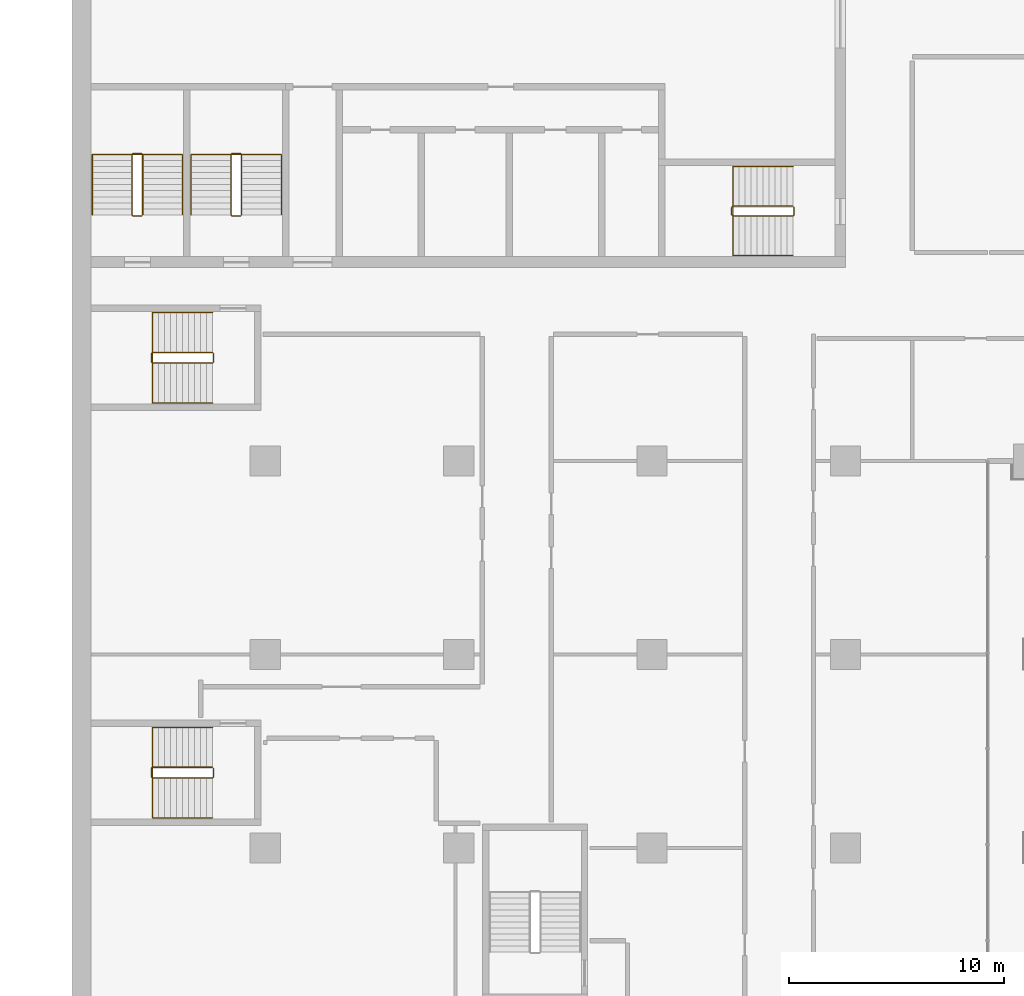
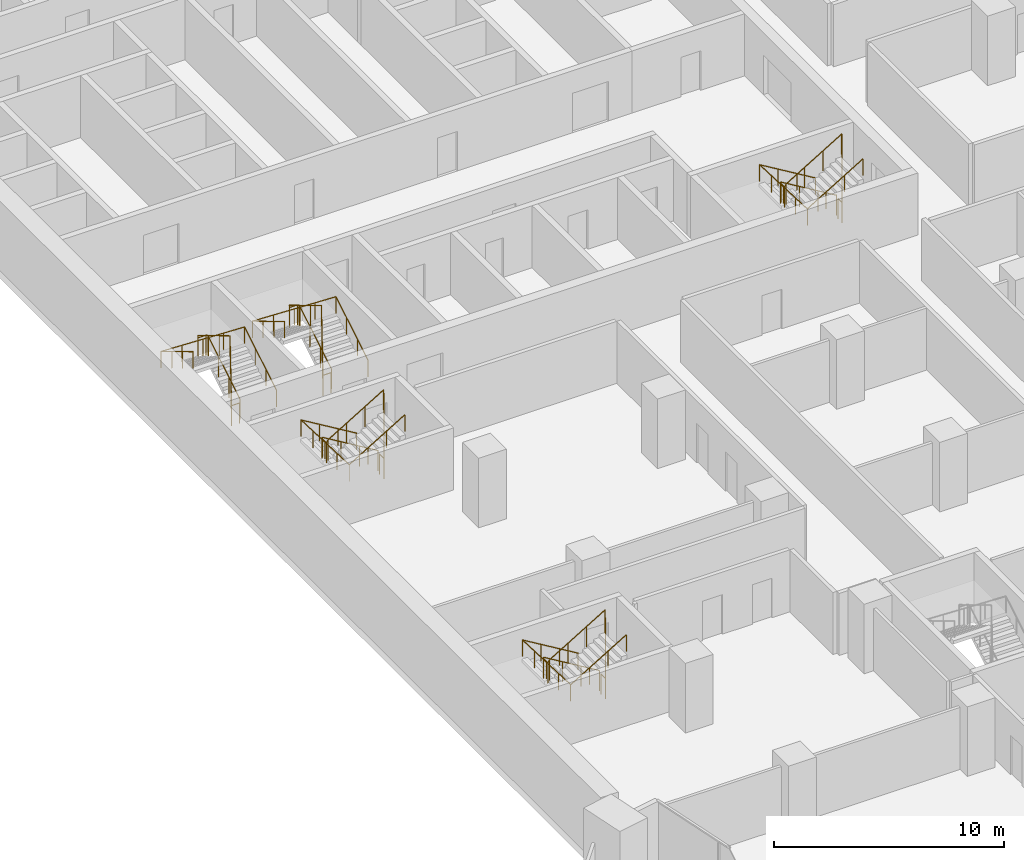
# One storey, part 26 of 29: 10 railings.
"""IFC4 building model written with IfcOpenShell, lengths in metres."""

import ifcopenshell
import ifcopenshell.guid

model = None  # the IFC model being written
_history = None  # IfcOwnerHistory: only IFC2X3 demands one
_inside = {}  # id of a spatial element -> (the spatial element, [elements in it])
_under = {}  # id of a project, library or spatial element -> (it, [spatial elements below it])
_declared = {}  # id of a project -> (the project, [libraries it declares])
_typed = {}  # id of a type object -> (the type object, [elements of that type])
_made_of = {}  # id of a material, layer set ... -> (it, [elements and type objects made of it])


def new_model(schema):
    """Start an empty IFC model of exactly this schema.

    Asked for "IFC4X3", IfcOpenShell would pick the latest addendum, in which some entities
    have other attributes; the version numbers below select the first issue.
    IFC2X3 requires an IfcOwnerHistory on every rooted entity: one is made here for all.
    """
    global model, _history
    if schema == "IFC4X3":
        model = ifcopenshell.file(schema_version=(4, 3, 0, 0))
    else:
        model = ifcopenshell.file(schema=schema)
    _inside.clear()
    _under.clear()
    _declared.clear()
    _typed.clear()
    _made_of.clear()
    _history = None
    if model.schema == "IFC2X3":
        org = make("IfcOrganization", Name="unknown")
        user = make(
            "IfcPersonAndOrganization",
            ThePerson=make("IfcPerson", FamilyName="unknown"),
            TheOrganization=org,
        )
        app = make(
            "IfcApplication",
            ApplicationDeveloper=org,
            Version="unknown",
            ApplicationFullName="unknown",
            ApplicationIdentifier="unknown",
        )
        _history = make(
            "IfcOwnerHistory",
            OwningUser=user,
            OwningApplication=app,
            ChangeAction="ADDED",
            CreationDate=0,
        )
    return model


def make(cls, **values):
    """One entity of the class cls with the attributes given. An attribute that is None is left unset."""
    return model.create_entity(
        cls, **{name: value for name, value in values.items() if value is not None}
    )


def rooted(cls, **values):
    """An entity with a GlobalId (a new one), such as an element, a storey or a relation."""
    return make(cls, GlobalId=ifcopenshell.guid.new(), OwnerHistory=_history, **values)


def si_unit(unit_type, name, prefix=None):
    """IfcSIUnit, for example si_unit("LENGTHUNIT", "METRE", prefix="MILLI")."""
    return make("IfcSIUnit", UnitType=unit_type, Prefix=prefix, Name=name)


def assignment(units):
    """IfcUnitAssignment: the units of a project."""
    return None if units is None else make("IfcUnitAssignment", Units=units)


def point(xyz):
    """IfcCartesianPoint."""
    return None if xyz is None else make("IfcCartesianPoint", Coordinates=xyz)


def direction(xyz):
    """IfcDirection."""
    return None if xyz is None else make("IfcDirection", DirectionRatios=xyz)


def frame(location, z_axis=None, x_axis=None):
    """IfcAxis2Placement3D, a coordinate frame: its origin and axes. An axis left out is left unset."""
    return make(
        "IfcAxis2Placement3D",
        Location=point(location),
        Axis=direction(z_axis),
        RefDirection=direction(x_axis),
    )


def frame_2d(location, x_axis=None):
    """IfcAxis2Placement2D, a coordinate frame in the plane: its origin and x axis."""
    return make(
        "IfcAxis2Placement2D", Location=point(location), RefDirection=direction(x_axis)
    )


def origin():
    """The frame at (0, 0, 0) with its axes left unset."""
    return frame((0.0, 0.0, 0.0))


def origin_2d():
    """The frame at (0, 0) in the plane with its x axis left unset."""
    return frame_2d((0.0, 0.0))


def place(relative_to, where):
    """IfcLocalPlacement: puts the frame where relative to a parent placement (None: the world)."""
    return make(
        "IfcLocalPlacement", PlacementRelTo=relative_to, RelativePlacement=where
    )


def context(
    kind, dimensions, precision=None, world=None, true_north=None, identifier=None
):
    """IfcGeometricRepresentationContext, for example the 3D "Model" context."""
    return make(
        "IfcGeometricRepresentationContext",
        ContextIdentifier=identifier,
        ContextType=kind,
        CoordinateSpaceDimension=dimensions,
        Precision=precision,
        WorldCoordinateSystem=world,
        TrueNorth=true_north,
    )


def subcontext(parent, identifier, kind, view, scale=None):
    """IfcGeometricRepresentationSubContext, for example "Body" below "Model"."""
    return make(
        "IfcGeometricRepresentationSubContext",
        ContextIdentifier=identifier,
        ContextType=kind,
        ParentContext=parent,
        TargetScale=scale,
        TargetView=view,
    )


def project(units=None, contexts=None):
    """IfcProject with its units and contexts."""
    return rooted(
        "IfcProject",
        Name="project",
        RepresentationContexts=contexts,
        UnitsInContext=assignment(units),
    )


def spatial(cls, under=None, at=None, **own):
    """A site, building, storey or space (cls), placed at a placement, below another one or the project."""
    s = rooted(cls, ObjectPlacement=at, **own)
    if under is not None:
        _under.setdefault(under.id(), (under, []))[1].append(s)
    return s


def profile(cls, at=None, kind="AREA", **sizes):
    """A parametric profile (cls). Its sizes go by their IFC names, for example OverallWidth=200.0."""
    return make(cls, ProfileType=kind, Position=at, **sizes)


def circle(**sizes):
    """IfcCircleProfileDef."""
    return profile("IfcCircleProfileDef", **sizes)


def extrude(swept, where, along, depth):
    """IfcExtrudedAreaSolid: the profile swept, set in the frame where, extruded along a direction by depth."""
    return make(
        "IfcExtrudedAreaSolid",
        SweptArea=swept,
        Position=where,
        ExtrudedDirection=direction(along),
        Depth=depth,
    )


def shape(context_of_items, identifier, shape_type, items):
    """IfcShapeRepresentation: the items that make up one representation, for example the "Body"."""
    return make(
        "IfcShapeRepresentation",
        ContextOfItems=context_of_items,
        RepresentationIdentifier=identifier,
        RepresentationType=shape_type,
        Items=items,
    )


def material(Name=None, Category=None):
    """IfcMaterial."""
    return make("IfcMaterial", Name=Name, Category=Category)


def made_of(thing, what):
    """Note that an element or type object is made of a material, layer set ...; save() writes the relation."""
    if what is not None:
        _made_of.setdefault(what.id(), (what, []))[1].append(thing)
    return thing


def type_object(cls, material=None, **own):
    """A type object (cls), such as IfcWallType, which elements share."""
    return made_of(rooted(cls, **own), material)


def element(
    cls,
    number,
    at=None,
    inside=None,
    cuts=None,
    type_object=None,
    material=None,
    context=None,
    identifier="Body",
    shape_type=None,
    held_by="IfcProductDefinitionShape",
    body=None,
    shapes=None,
    **own,
):
    """One element of the class cls, such as IfcWall. Its Tag is "e" and its number.

    at: its placement. inside: the storey or other place that contains it. cuts: it is an
    opening in that element (IfcRelVoidsElement). A single representation is given by context,
    identifier, shape_type and body (its items); several are given by shapes. held_by: the class
    of the entity that holds the representations. save() writes the other relations.
    """
    e = rooted(cls, Tag="e%d" % number, ObjectPlacement=at, **own)
    if body is not None:
        shapes = [shape(context, identifier, shape_type, body)]
    if shapes is not None:
        e.Representation = make(held_by, Representations=shapes)
    if inside is not None:
        _inside.setdefault(inside.id(), (inside, []))[1].append(e)
    if cuts is not None:
        rooted(
            "IfcRelVoidsElement", RelatingBuildingElement=cuts, RelatedOpeningElement=e
        )
    if type_object is not None:
        _typed.setdefault(type_object.id(), (type_object, []))[1].append(e)
    return made_of(e, material)


def aggregate(whole, parts):
    """IfcRelAggregates: a whole, such as a stair, and the parts it consists of."""
    return rooted("IfcRelAggregates", RelatingObject=whole, RelatedObjects=parts)


def save(model, path):
    """Write the relations noted so far, then the file.

    IfcRelAggregates (storeys below a building ...), IfcRelContainedInSpatialStructure (elements
    in a storey), IfcRelDefinesByType, IfcRelAssociatesMaterial and IfcRelDeclares: one each for
    every whole, place, type object, material and project.
    """
    for whole, parts in _under.values():
        aggregate(whole, parts)
    for where, things in _inside.values():
        rooted(
            "IfcRelContainedInSpatialStructure",
            RelatedElements=things,
            RelatingStructure=where,
        )
    for kind, things in _typed.values():
        rooted("IfcRelDefinesByType", RelatedObjects=things, RelatingType=kind)
    for what, things in _made_of.values():
        rooted("IfcRelAssociatesMaterial", RelatedObjects=things, RelatingMaterial=what)
    for by, libraries in _declared.values():
        rooted("IfcRelDeclares", RelatingContext=by, RelatedDefinitions=libraries)
    model.write(path)


model = new_model("IFC4")

# Units and contexts
model_context = context("Model", 3, precision=1e-05, world=origin(), true_north=direction((0.0, 1.0)))
body_context = subcontext(model_context, "Body", "Model", "MODEL_VIEW")
ifc_project = project(units=[si_unit("LENGTHUNIT", "METRE"), si_unit("AREAUNIT", "SQUARE_METRE"), si_unit("VOLUMEUNIT", "CUBIC_METRE"), si_unit("PLANEANGLEUNIT", "RADIAN"), si_unit("MASSUNIT", "GRAM", prefix="KILO")], contexts=[model_context])

# Site, building, storey
site_placement = place(None, origin())
site = spatial("IfcSite", under=ifc_project, at=site_placement, CompositionType="ELEMENT")
building_placement = place(site_placement, origin())
building = spatial("IfcBuilding", under=site, at=building_placement, Name="Hunhe Ridgeline Campus", CompositionType="ELEMENT")
storey_placement = place(building_placement, frame((0.0, 0.0, 46.89990234375)))
storey = spatial("IfcBuildingStorey", under=building, at=storey_placement, Name="L10", CompositionType="ELEMENT", Elevation=46.89990234375)

# Railings
ifc_material_1 = material(Name="Stainless steel balustrade", Category="steel")
railing_type_1 = type_object("IfcRailingType", Name="Stair guard 1100 stainless", PredefinedType="GUARDRAIL", material=ifc_material_1)
railing_1_placement = place(storey_placement, frame((33.550048828125, 65.85009765625, 0.168212890625)))
element("IfcRailing", 1, at=railing_1_placement, inside=storey, type_object=railing_type_1, Name="L10 stair S2 guard", PredefinedType="GUARDRAIL", context=body_context, shape_type="SweptSolid", body=[
    extrude(circle(Radius=0.02392578125, at=origin_2d()), frame((0.0, 0.0, 1.076171875), z_axis=(-0.857242210791, 0.0, 0.514913383045), x_axis=(0.0, -1.0, 0.0)), (0.0, 0.0, 1.0), 3.266357421875),
    extrude(circle(Radius=0.02392578125, at=origin_2d()), frame((-2.800048828125, 0.0, 2.7578125), z_axis=(-0.707106781187, -0.707106781187, 0.0), x_axis=(0.707106781187, -0.707106781187, 0.0)), (0.0, 0.0, 1.0), 0.07080078125),
    extrude(circle(Radius=0.02392578125, at=origin_2d()), frame((-2.85009765625, -0.050048828125, 2.7578125), z_axis=(0.0, -1.0, 0.0), x_axis=(1.0, 0.0, 0.0)), (0.0, 0.0, 1.0), 0.35009765625),
    extrude(circle(Radius=0.02392578125, at=origin_2d()), frame((-2.85009765625, -0.400146484375, 2.7578125), z_axis=(0.274243871929, -0.274243871929, 0.92172696468), x_axis=(0.707106781187, 0.707106781187, 0.0)), (0.0, 0.0, 1.0), 0.1826171875),
    extrude(circle(Radius=0.02392578125, at=origin_2d()), frame((-2.800048828125, -0.4501953125, 2.92626953125), z_axis=(0.857242210791, 0.0, 0.514913383045), x_axis=(0.0, 1.0, 0.0)), (0.0, 0.0, 1.0), 3.266357421875),
    extrude(circle(Radius=0.02392578125, at=origin_2d()), frame((0.0, -0.4501953125, 4.60791015625), z_axis=(0.013523522368, 0.013523522368, -0.999817097616), x_axis=(-0.707106781187, 0.707106781187, 0.0)), (0.0, 0.0, 1.0), 3.700927734375),
    extrude(circle(Radius=0.02392578125, at=origin_2d()), frame((0.050048828125, -0.400146484375, 0.90771484375), z_axis=(0.0, 1.0, 0.0), x_axis=(-1.0, 0.0, 0.0)), (0.0, 0.0, 1.0), 0.35009765625),
    extrude(circle(Radius=0.02099609375, at=origin_2d()), origin(), (0.0, 0.0, 1.0), 1.052001953125),
    extrude(circle(Radius=0.02099609375, at=origin_2d()), frame((-0.933349609375, 0.0, 0.560546875)), (0.0, 0.0, 1.0), 1.052001953125),
    extrude(circle(Radius=0.02099609375, at=origin_2d()), frame((-1.86669921875, 0.0, 1.121337890625)), (0.0, 0.0, 1.0), 1.052001953125),
    extrude(circle(Radius=0.02099609375, at=origin_2d()), frame((-2.800048828125, 0.0, 1.681884765625)), (0.0, 0.0, 1.0), 1.052001953125),
    extrude(circle(Radius=0.02099609375, at=origin_2d()), frame((-2.85009765625, -0.050048828125, 1.681884765625)), (0.0, 0.0, 1.0), 1.052001953125),
    extrude(circle(Radius=0.02099609375, at=origin_2d()), frame((-2.85009765625, -0.400146484375, 1.681884765625)), (0.0, 0.0, 1.0), 1.052001953125),
    extrude(circle(Radius=0.02099609375, at=origin_2d()), frame((-2.800048828125, -0.4501953125, 1.85009765625)), (0.0, 0.0, 1.0), 1.052001953125),
    extrude(circle(Radius=0.02099609375, at=origin_2d()), frame((-1.86669921875, -0.4501953125, 2.41064453125)), (0.0, 0.0, 1.0), 1.052001953125),
    extrude(circle(Radius=0.02099609375, at=origin_2d()), frame((-0.933349609375, -0.4501953125, 2.971435546875)), (0.0, 0.0, 1.0), 1.052001953125),
    extrude(circle(Radius=0.02099609375, at=origin_2d()), frame((0.0, -0.4501953125, 3.531982421875)), (0.0, 0.0, 1.0), 1.052001953125),
    extrude(circle(Radius=0.02099609375, at=origin_2d()), frame((0.012451171875, -0.437744140625, 2.60693359375)), (0.0, 0.0, 1.0), 1.052001953125),
    extrude(circle(Radius=0.02099609375, at=origin_2d()), frame((0.02490234375, -0.42529296875, 1.681884765625)), (0.0, 0.0, 1.0), 1.052001953125),
    extrude(circle(Radius=0.02099609375, at=origin_2d()), frame((0.03759765625, -0.41259765625, 0.7568359375)), (0.0, 0.0, 1.0), 1.052001953125),
    extrude(circle(Radius=0.02099609375, at=origin_2d()), frame((0.050048828125, -0.400146484375, -0.168212890625)), (0.0, 0.0, 1.0), 1.052001953125),
    extrude(circle(Radius=0.02099609375, at=origin_2d()), frame((0.050048828125, -0.050048828125, -0.168212890625)), (0.0, 0.0, 1.0), 1.052001953125),
])
railing_2_placement = place(storey_placement, frame((3.300048828125, 65.449951171875, 0.168212890625)))
element("IfcRailing", 2, at=railing_2_placement, inside=storey, type_object=railing_type_1, Name="L10 stair S3 guard", PredefinedType="GUARDRAIL", context=body_context, shape_type="SweptSolid", body=[
    extrude(circle(Radius=0.02392578125, at=origin_2d()), frame((0.0, 0.0, 1.076171875), z_axis=(0.0, 0.857242210791, 0.514913383045), x_axis=(-1.0, 0.0, 0.0)), (0.0, 0.0, 1.0), 3.266357421875),
    extrude(circle(Radius=0.02392578125, at=origin_2d()), frame((0.0, 2.800048828125, 2.7578125), z_axis=(-0.707106781187, 0.707106781187, 0.0), x_axis=(-0.707106781187, -0.707106781187, 0.0)), (0.0, 0.0, 1.0), 0.07080078125),
    extrude(circle(Radius=0.02392578125, at=origin_2d()), frame((-0.050048828125, 2.85009765625, 2.7578125), z_axis=(-1.0, 0.0, 0.0), x_axis=(0.0, -1.0, 0.0)), (0.0, 0.0, 1.0), 0.39990234375),
    extrude(circle(Radius=0.02392578125, at=origin_2d()), frame((-0.449951171875, 2.85009765625, 2.7578125), z_axis=(-0.274243871929, -0.274243871929, 0.92172696468), x_axis=(0.707106781187, -0.707106781187, 0.0)), (0.0, 0.0, 1.0), 0.1826171875),
    extrude(circle(Radius=0.02392578125, at=origin_2d()), frame((-0.5, 2.800048828125, 2.92626953125), z_axis=(0.0, -0.857242210791, 0.514913383045), x_axis=(1.0, 0.0, 0.0)), (0.0, 0.0, 1.0), 3.266357421875),
    extrude(circle(Radius=0.02392578125, at=origin_2d()), frame((-0.5, 0.0, 4.60791015625), z_axis=(0.013523522368, -0.013523522368, -0.999817097616), x_axis=(0.707106781187, 0.707106781187, 0.0)), (0.0, 0.0, 1.0), 3.700927734375),
    extrude(circle(Radius=0.02392578125, at=origin_2d()), frame((-0.449951171875, -0.050048828125, 0.90771484375), z_axis=(1.0, 0.0, 0.0), x_axis=(0.0, 1.0, 0.0)), (0.0, 0.0, 1.0), 0.39990234375),
    extrude(circle(Radius=0.02099609375, at=origin_2d()), origin(), (0.0, 0.0, 1.0), 1.052001953125),
    extrude(circle(Radius=0.02099609375, at=origin_2d()), frame((0.0, 0.933349609375, 0.560546875)), (0.0, 0.0, 1.0), 1.052001953125),
    extrude(circle(Radius=0.02099609375, at=origin_2d()), frame((0.0, 1.86669921875, 1.121337890625)), (0.0, 0.0, 1.0), 1.052001953125),
    extrude(circle(Radius=0.02099609375, at=origin_2d()), frame((0.0, 2.800048828125, 1.681884765625)), (0.0, 0.0, 1.0), 1.052001953125),
    extrude(circle(Radius=0.02099609375, at=origin_2d()), frame((-0.050048828125, 2.85009765625, 1.681884765625)), (0.0, 0.0, 1.0), 1.052001953125),
    extrude(circle(Radius=0.02099609375, at=origin_2d()), frame((-0.449951171875, 2.85009765625, 1.681884765625)), (0.0, 0.0, 1.0), 1.052001953125),
    extrude(circle(Radius=0.02099609375, at=origin_2d()), frame((-0.5, 2.800048828125, 1.85009765625)), (0.0, 0.0, 1.0), 1.052001953125),
    extrude(circle(Radius=0.02099609375, at=origin_2d()), frame((-0.5, 1.86669921875, 2.41064453125)), (0.0, 0.0, 1.0), 1.052001953125),
    extrude(circle(Radius=0.02099609375, at=origin_2d()), frame((-0.5, 0.933349609375, 2.971435546875)), (0.0, 0.0, 1.0), 1.052001953125),
    extrude(circle(Radius=0.02099609375, at=origin_2d()), frame((-0.5, 0.0, 3.531982421875)), (0.0, 0.0, 1.0), 1.052001953125),
    extrude(circle(Radius=0.02099609375, at=origin_2d()), frame((-0.487548828125, -0.012451171875, 2.60693359375)), (0.0, 0.0, 1.0), 1.052001953125),
    extrude(circle(Radius=0.02099609375, at=origin_2d()), frame((-0.47509765625, -0.02490234375, 1.681884765625)), (0.0, 0.0, 1.0), 1.052001953125),
    extrude(circle(Radius=0.02099609375, at=origin_2d()), frame((-0.46240234375, -0.03759765625, 0.7568359375)), (0.0, 0.0, 1.0), 1.052001953125),
    extrude(circle(Radius=0.02099609375, at=origin_2d()), frame((-0.449951171875, -0.050048828125, -0.168212890625)), (0.0, 0.0, 1.0), 1.052001953125),
    extrude(circle(Radius=0.02099609375, at=origin_2d()), frame((-0.050048828125, -0.050048828125, -0.168212890625)), (0.0, 0.0, 1.0), 1.052001953125),
])
railing_3_placement = place(storey_placement, frame((7.89990234375, 65.449951171875, 0.168212890625)))
element("IfcRailing", 3, at=railing_3_placement, inside=storey, type_object=railing_type_1, Name="L10 stair S4 guard", PredefinedType="GUARDRAIL", context=body_context, shape_type="SweptSolid", body=[
    extrude(circle(Radius=0.02392578125, at=origin_2d()), frame((0.0, 0.0, 1.076171875), z_axis=(0.0, 0.857242210791, 0.514913383045), x_axis=(-1.0, 0.0, 0.0)), (0.0, 0.0, 1.0), 3.266357421875),
    extrude(circle(Radius=0.02392578125, at=origin_2d()), frame((0.0, 2.800048828125, 2.7578125), z_axis=(-0.705375805398, 0.708833529934, 0.0), x_axis=(-0.708833529934, -0.705375805398, 0.0)), (0.0, 0.0, 1.0), 0.070556640625),
    extrude(circle(Radius=0.02392578125, at=origin_2d()), frame((-0.0498046875, 2.85009765625, 2.7578125), z_axis=(-1.0, 0.0, 0.0), x_axis=(0.0, -1.0, 0.0)), (0.0, 0.0, 1.0), 0.400146484375),
    extrude(circle(Radius=0.02392578125, at=origin_2d()), frame((-0.449951171875, 2.85009765625, 2.7578125), z_axis=(-0.274243871929, -0.274243871929, 0.92172696468), x_axis=(0.707106781187, -0.707106781187, 0.0)), (0.0, 0.0, 1.0), 0.1826171875),
    extrude(circle(Radius=0.02392578125, at=origin_2d()), frame((-0.5, 2.800048828125, 2.92626953125), z_axis=(0.0, -0.857242210791, 0.514913383045), x_axis=(1.0, 0.0, 0.0)), (0.0, 0.0, 1.0), 3.266357421875),
    extrude(circle(Radius=0.02392578125, at=origin_2d()), frame((-0.5, 0.0, 4.60791015625), z_axis=(0.013523522368, -0.013523522368, -0.999817097616), x_axis=(0.707106781187, 0.707106781187, 0.0)), (0.0, 0.0, 1.0), 3.700927734375),
    extrude(circle(Radius=0.02392578125, at=origin_2d()), frame((-0.449951171875, -0.050048828125, 0.90771484375), z_axis=(1.0, 0.0, 0.0), x_axis=(0.0, 1.0, 0.0)), (0.0, 0.0, 1.0), 0.400146484375),
    extrude(circle(Radius=0.02099609375, at=origin_2d()), origin(), (0.0, 0.0, 1.0), 1.052001953125),
    extrude(circle(Radius=0.02099609375, at=origin_2d()), frame((0.0, 0.933349609375, 0.560546875)), (0.0, 0.0, 1.0), 1.052001953125),
    extrude(circle(Radius=0.02099609375, at=origin_2d()), frame((0.0, 1.86669921875, 1.121337890625)), (0.0, 0.0, 1.0), 1.052001953125),
    extrude(circle(Radius=0.02099609375, at=origin_2d()), frame((0.0, 2.800048828125, 1.681884765625)), (0.0, 0.0, 1.0), 1.052001953125),
    extrude(circle(Radius=0.02099609375, at=origin_2d()), frame((-0.0498046875, 2.85009765625, 1.681884765625)), (0.0, 0.0, 1.0), 1.052001953125),
    extrude(circle(Radius=0.02099609375, at=origin_2d()), frame((-0.449951171875, 2.85009765625, 1.681884765625)), (0.0, 0.0, 1.0), 1.052001953125),
    extrude(circle(Radius=0.02099609375, at=origin_2d()), frame((-0.5, 2.800048828125, 1.85009765625)), (0.0, 0.0, 1.0), 1.052001953125),
    extrude(circle(Radius=0.02099609375, at=origin_2d()), frame((-0.5, 1.86669921875, 2.41064453125)), (0.0, 0.0, 1.0), 1.052001953125),
    extrude(circle(Radius=0.02099609375, at=origin_2d()), frame((-0.5, 0.933349609375, 2.971435546875)), (0.0, 0.0, 1.0), 1.052001953125),
    extrude(circle(Radius=0.02099609375, at=origin_2d()), frame((-0.5, 0.0, 3.531982421875)), (0.0, 0.0, 1.0), 1.052001953125),
    extrude(circle(Radius=0.02099609375, at=origin_2d()), frame((-0.487548828125, -0.012451171875, 2.60693359375)), (0.0, 0.0, 1.0), 1.052001953125),
    extrude(circle(Radius=0.02099609375, at=origin_2d()), frame((-0.47509765625, -0.02490234375, 1.681884765625)), (0.0, 0.0, 1.0), 1.052001953125),
    extrude(circle(Radius=0.02099609375, at=origin_2d()), frame((-0.46240234375, -0.03759765625, 0.7568359375)), (0.0, 0.0, 1.0), 1.052001953125),
    extrude(circle(Radius=0.02099609375, at=origin_2d()), frame((-0.449951171875, -0.050048828125, -0.168212890625)), (0.0, 0.0, 1.0), 1.052001953125),
    extrude(circle(Radius=0.02099609375, at=origin_2d()), frame((-0.0498046875, -0.050048828125, -0.168212890625)), (0.0, 0.0, 1.0), 1.052001953125),
])
railing_4_placement = place(storey_placement, frame((6.550048828125, 39.75, 0.168212890625)))
element("IfcRailing", 4, at=railing_4_placement, inside=storey, type_object=railing_type_1, Name="L10 stair W1 guard", PredefinedType="GUARDRAIL", context=body_context, shape_type="SweptSolid", body=[
    extrude(circle(Radius=0.02392578125, at=origin_2d()), frame((0.0, 0.0, 1.076171875), z_axis=(-0.857242210791, 0.0, 0.514913383045), x_axis=(0.0, -1.0, 0.0)), (0.0, 0.0, 1.0), 3.266357421875),
    extrude(circle(Radius=0.02392578125, at=origin_2d()), frame((-2.800048828125, 0.0, 2.7578125), z_axis=(-0.707106781187, -0.707106781187, 0.0), x_axis=(0.707106781187, -0.707106781187, 0.0)), (0.0, 0.0, 1.0), 0.07080078125),
    extrude(circle(Radius=0.02392578125, at=origin_2d()), frame((-2.85009765625, -0.050048828125, 2.7578125), z_axis=(0.0, -1.0, 0.0), x_axis=(1.0, 0.0, 0.0)), (0.0, 0.0, 1.0), 0.39990234375),
    extrude(circle(Radius=0.02392578125, at=origin_2d()), frame((-2.85009765625, -0.449951171875, 2.7578125), z_axis=(0.274243871929, -0.274243871929, 0.92172696468), x_axis=(0.707106781187, 0.707106781187, 0.0)), (0.0, 0.0, 1.0), 0.1826171875),
    extrude(circle(Radius=0.02392578125, at=origin_2d()), frame((-2.800048828125, -0.5, 2.92626953125), z_axis=(0.857242210791, 0.0, 0.514913383045), x_axis=(0.0, 1.0, 0.0)), (0.0, 0.0, 1.0), 3.266357421875),
    extrude(circle(Radius=0.02392578125, at=origin_2d()), frame((0.0, -0.5, 4.60791015625), z_axis=(0.013523522368, 0.013523522368, -0.999817097616), x_axis=(-0.707106781187, 0.707106781187, 0.0)), (0.0, 0.0, 1.0), 3.700927734375),
    extrude(circle(Radius=0.02392578125, at=origin_2d()), frame((0.050048828125, -0.449951171875, 0.90771484375), z_axis=(0.0, 1.0, 0.0), x_axis=(-1.0, 0.0, 0.0)), (0.0, 0.0, 1.0), 0.39990234375),
    extrude(circle(Radius=0.02099609375, at=origin_2d()), origin(), (0.0, 0.0, 1.0), 1.052001953125),
    extrude(circle(Radius=0.02099609375, at=origin_2d()), frame((-0.933349609375, 0.0, 0.560546875)), (0.0, 0.0, 1.0), 1.052001953125),
    extrude(circle(Radius=0.02099609375, at=origin_2d()), frame((-1.86669921875, 0.0, 1.121337890625)), (0.0, 0.0, 1.0), 1.052001953125),
    extrude(circle(Radius=0.02099609375, at=origin_2d()), frame((-2.800048828125, 0.0, 1.681884765625)), (0.0, 0.0, 1.0), 1.052001953125),
    extrude(circle(Radius=0.02099609375, at=origin_2d()), frame((-2.85009765625, -0.050048828125, 1.681884765625)), (0.0, 0.0, 1.0), 1.052001953125),
    extrude(circle(Radius=0.02099609375, at=origin_2d()), frame((-2.85009765625, -0.449951171875, 1.681884765625)), (0.0, 0.0, 1.0), 1.052001953125),
    extrude(circle(Radius=0.02099609375, at=origin_2d()), frame((-2.800048828125, -0.5, 1.85009765625)), (0.0, 0.0, 1.0), 1.052001953125),
    extrude(circle(Radius=0.02099609375, at=origin_2d()), frame((-1.86669921875, -0.5, 2.41064453125)), (0.0, 0.0, 1.0), 1.052001953125),
    extrude(circle(Radius=0.02099609375, at=origin_2d()), frame((-0.933349609375, -0.5, 2.971435546875)), (0.0, 0.0, 1.0), 1.052001953125),
    extrude(circle(Radius=0.02099609375, at=origin_2d()), frame((0.0, -0.5, 3.531982421875)), (0.0, 0.0, 1.0), 1.052001953125),
    extrude(circle(Radius=0.02099609375, at=origin_2d()), frame((0.012451171875, -0.487548828125, 2.60693359375)), (0.0, 0.0, 1.0), 1.052001953125),
    extrude(circle(Radius=0.02099609375, at=origin_2d()), frame((0.02490234375, -0.47509765625, 1.681884765625)), (0.0, 0.0, 1.0), 1.052001953125),
    extrude(circle(Radius=0.02099609375, at=origin_2d()), frame((0.03759765625, -0.46240234375, 0.7568359375)), (0.0, 0.0, 1.0), 1.052001953125),
    extrude(circle(Radius=0.02099609375, at=origin_2d()), frame((0.050048828125, -0.449951171875, -0.168212890625)), (0.0, 0.0, 1.0), 1.052001953125),
    extrude(circle(Radius=0.02099609375, at=origin_2d()), frame((0.050048828125, -0.050048828125, -0.168212890625)), (0.0, 0.0, 1.0), 1.052001953125),
])
railing_5_placement = place(storey_placement, frame((6.550048828125, 59.050048828125, 0.168212890625)))
element("IfcRailing", 5, at=railing_5_placement, inside=storey, type_object=railing_type_1, Name="L10 stair W2 guard", PredefinedType="GUARDRAIL", context=body_context, shape_type="SweptSolid", body=[
    extrude(circle(Radius=0.02392578125, at=origin_2d()), frame((0.0, 0.0, 1.076171875), z_axis=(-0.857242210791, 0.0, 0.514913383045), x_axis=(0.0, -1.0, 0.0)), (0.0, 0.0, 1.0), 3.266357421875),
    extrude(circle(Radius=0.02392578125, at=origin_2d()), frame((-2.800048828125, 0.0, 2.7578125), z_axis=(-0.707106781187, -0.707106781187, 0.0), x_axis=(0.707106781187, -0.707106781187, 0.0)), (0.0, 0.0, 1.0), 0.07080078125),
    extrude(circle(Radius=0.02392578125, at=origin_2d()), frame((-2.85009765625, -0.050048828125, 2.7578125), z_axis=(0.0, -1.0, 0.0), x_axis=(1.0, 0.0, 0.0)), (0.0, 0.0, 1.0), 0.39990234375),
    extrude(circle(Radius=0.02392578125, at=origin_2d()), frame((-2.85009765625, -0.449951171875, 2.7578125), z_axis=(0.274243871929, -0.274243871929, 0.92172696468), x_axis=(0.707106781187, 0.707106781187, 0.0)), (0.0, 0.0, 1.0), 0.1826171875),
    extrude(circle(Radius=0.02392578125, at=origin_2d()), frame((-2.800048828125, -0.5, 2.92626953125), z_axis=(0.857242210791, 0.0, 0.514913383045), x_axis=(0.0, 1.0, 0.0)), (0.0, 0.0, 1.0), 3.266357421875),
    extrude(circle(Radius=0.02392578125, at=origin_2d()), frame((0.0, -0.5, 4.60791015625), z_axis=(0.013523522368, 0.013523522368, -0.999817097616), x_axis=(-0.707106781187, 0.707106781187, 0.0)), (0.0, 0.0, 1.0), 3.700927734375),
    extrude(circle(Radius=0.02392578125, at=origin_2d()), frame((0.050048828125, -0.449951171875, 0.90771484375), z_axis=(0.0, 1.0, 0.0), x_axis=(-1.0, 0.0, 0.0)), (0.0, 0.0, 1.0), 0.39990234375),
    extrude(circle(Radius=0.02099609375, at=origin_2d()), origin(), (0.0, 0.0, 1.0), 1.052001953125),
    extrude(circle(Radius=0.02099609375, at=origin_2d()), frame((-0.933349609375, 0.0, 0.560546875)), (0.0, 0.0, 1.0), 1.052001953125),
    extrude(circle(Radius=0.02099609375, at=origin_2d()), frame((-1.86669921875, 0.0, 1.121337890625)), (0.0, 0.0, 1.0), 1.052001953125),
    extrude(circle(Radius=0.02099609375, at=origin_2d()), frame((-2.800048828125, 0.0, 1.681884765625)), (0.0, 0.0, 1.0), 1.052001953125),
    extrude(circle(Radius=0.02099609375, at=origin_2d()), frame((-2.85009765625, -0.050048828125, 1.681884765625)), (0.0, 0.0, 1.0), 1.052001953125),
    extrude(circle(Radius=0.02099609375, at=origin_2d()), frame((-2.85009765625, -0.449951171875, 1.681884765625)), (0.0, 0.0, 1.0), 1.052001953125),
    extrude(circle(Radius=0.02099609375, at=origin_2d()), frame((-2.800048828125, -0.5, 1.85009765625)), (0.0, 0.0, 1.0), 1.052001953125),
    extrude(circle(Radius=0.02099609375, at=origin_2d()), frame((-1.86669921875, -0.5, 2.41064453125)), (0.0, 0.0, 1.0), 1.052001953125),
    extrude(circle(Radius=0.02099609375, at=origin_2d()), frame((-0.933349609375, -0.5, 2.971435546875)), (0.0, 0.0, 1.0), 1.052001953125),
    extrude(circle(Radius=0.02099609375, at=origin_2d()), frame((0.0, -0.5, 3.531982421875)), (0.0, 0.0, 1.0), 1.052001953125),
    extrude(circle(Radius=0.02099609375, at=origin_2d()), frame((0.012451171875, -0.487548828125, 2.60693359375)), (0.0, 0.0, 1.0), 1.052001953125),
    extrude(circle(Radius=0.02099609375, at=origin_2d()), frame((0.02490234375, -0.47509765625, 1.681884765625)), (0.0, 0.0, 1.0), 1.052001953125),
    extrude(circle(Radius=0.02099609375, at=origin_2d()), frame((0.03759765625, -0.46240234375, 0.7568359375)), (0.0, 0.0, 1.0), 1.052001953125),
    extrude(circle(Radius=0.02099609375, at=origin_2d()), frame((0.050048828125, -0.449951171875, -0.168212890625)), (0.0, 0.0, 1.0), 1.052001953125),
    extrude(circle(Radius=0.02099609375, at=origin_2d()), frame((0.050048828125, -0.050048828125, -0.168212890625)), (0.0, 0.0, 1.0), 1.052001953125),
])
ifc_material_2 = material(Name="Stainless steel handrail", Category="steel")
railing_type_2 = type_object("IfcRailingType", Name="Stair handrail 900 stainless", PredefinedType="HANDRAIL", material=ifc_material_2)
railing_6_placement = place(storey_placement, frame((33.550048828125, 67.699951171875, 0.168212890625)))
element("IfcRailing", 6, at=railing_6_placement, inside=storey, type_object=railing_type_2, Name="L10 stair S2 handrail", PredefinedType="HANDRAIL", context=body_context, shape_type="SweptSolid", body=[
    extrude(circle(Radius=0.02392578125, at=origin_2d()), frame((0.0, 0.0, 0.8759765625), z_axis=(-0.857242210791, 0.0, 0.514913383045), x_axis=(0.0, -1.0, 0.0)), (0.0, 0.0, 1.0), 3.266357421875),
    extrude(circle(Radius=0.02392578125, at=origin_2d()), frame((-2.800048828125, 0.0, 2.5576171875), z_axis=(0.0, -0.99917950104, 0.040500922239), x_axis=(1.0, 0.0, 0.0)), (0.0, 0.0, 1.0), 4.1533203125),
    extrude(circle(Radius=0.02392578125, at=origin_2d()), frame((-2.800048828125, -4.14990234375, 2.72607421875), z_axis=(0.857242210791, 0.0, 0.514913383045), x_axis=(0.0, 1.0, 0.0)), (0.0, 0.0, 1.0), 3.266357421875),
    extrude(circle(Radius=0.02099609375, at=origin_2d()), origin(), (0.0, 0.0, 1.0), 0.851806640625),
    extrude(circle(Radius=0.02099609375, at=origin_2d()), frame((-0.933349609375, 0.0, 0.560546875)), (0.0, 0.0, 1.0), 0.851806640625),
    extrude(circle(Radius=0.02099609375, at=origin_2d()), frame((-1.86669921875, 0.0, 1.121337890625)), (0.0, 0.0, 1.0), 0.851806640625),
    extrude(circle(Radius=0.02099609375, at=origin_2d()), frame((-2.800048828125, 0.0, 1.681884765625)), (0.0, 0.0, 1.0), 0.851806640625),
    extrude(circle(Radius=0.02099609375, at=origin_2d()), frame((-2.800048828125, -1.03759765625, 1.723876953125)), (0.0, 0.0, 1.0), 0.851806640625),
    extrude(circle(Radius=0.02099609375, at=origin_2d()), frame((-2.800048828125, -2.074951171875, 1.76611328125)), (0.0, 0.0, 1.0), 0.851806640625),
    extrude(circle(Radius=0.02099609375, at=origin_2d()), frame((-2.800048828125, -3.1123046875, 1.80810546875)), (0.0, 0.0, 1.0), 0.851806640625),
    extrude(circle(Radius=0.02099609375, at=origin_2d()), frame((-2.800048828125, -4.14990234375, 1.85009765625)), (0.0, 0.0, 1.0), 0.851806640625),
    extrude(circle(Radius=0.02099609375, at=origin_2d()), frame((-1.86669921875, -4.14990234375, 2.41064453125)), (0.0, 0.0, 1.0), 0.851806640625),
    extrude(circle(Radius=0.02099609375, at=origin_2d()), frame((-0.933349609375, -4.14990234375, 2.971435546875)), (0.0, 0.0, 1.0), 0.851806640625),
    extrude(circle(Radius=0.02099609375, at=origin_2d()), frame((0.0, -4.14990234375, 3.531982421875)), (0.0, 0.0, 1.0), 0.851806640625),
])
railing_7_placement = place(storey_placement, frame((5.14990234375, 65.449951171875, 0.168212890625)))
element("IfcRailing", 7, at=railing_7_placement, inside=storey, type_object=railing_type_2, Name="L10 stair S3 handrail", PredefinedType="HANDRAIL", context=body_context, shape_type="SweptSolid", body=[
    extrude(circle(Radius=0.02392578125, at=origin_2d()), frame((0.0, 0.0, 0.8759765625), z_axis=(0.0, 0.857242210791, 0.514913383045), x_axis=(-1.0, 0.0, 0.0)), (0.0, 0.0, 1.0), 3.266357421875),
    extrude(circle(Radius=0.02392578125, at=origin_2d()), frame((0.0, 2.800048828125, 2.5576171875), z_axis=(-0.999198916169, 0.0, 0.040019069537), x_axis=(0.0, -1.0, 0.0)), (0.0, 0.0, 1.0), 4.203369140625),
    extrude(circle(Radius=0.02392578125, at=origin_2d()), frame((-4.199951171875, 2.800048828125, 2.72607421875), z_axis=(0.0, -0.857242210791, 0.514913383045), x_axis=(1.0, 0.0, 0.0)), (0.0, 0.0, 1.0), 3.266357421875),
    extrude(circle(Radius=0.02099609375, at=origin_2d()), origin(), (0.0, 0.0, 1.0), 0.851806640625),
    extrude(circle(Radius=0.02099609375, at=origin_2d()), frame((0.0, 0.933349609375, 0.560546875)), (0.0, 0.0, 1.0), 0.851806640625),
    extrude(circle(Radius=0.02099609375, at=origin_2d()), frame((0.0, 1.86669921875, 1.121337890625)), (0.0, 0.0, 1.0), 0.851806640625),
    extrude(circle(Radius=0.02099609375, at=origin_2d()), frame((0.0, 2.800048828125, 1.681884765625)), (0.0, 0.0, 1.0), 0.851806640625),
    extrude(circle(Radius=0.02099609375, at=origin_2d()), frame((-1.050048828125, 2.800048828125, 1.723876953125)), (0.0, 0.0, 1.0), 0.851806640625),
    extrude(circle(Radius=0.02099609375, at=origin_2d()), frame((-2.10009765625, 2.800048828125, 1.76611328125)), (0.0, 0.0, 1.0), 0.851806640625),
    extrude(circle(Radius=0.02099609375, at=origin_2d()), frame((-3.14990234375, 2.800048828125, 1.80810546875)), (0.0, 0.0, 1.0), 0.851806640625),
    extrude(circle(Radius=0.02099609375, at=origin_2d()), frame((-4.199951171875, 2.800048828125, 1.85009765625)), (0.0, 0.0, 1.0), 0.851806640625),
    extrude(circle(Radius=0.02099609375, at=origin_2d()), frame((-4.199951171875, 1.86669921875, 2.41064453125)), (0.0, 0.0, 1.0), 0.851806640625),
    extrude(circle(Radius=0.02099609375, at=origin_2d()), frame((-4.199951171875, 0.933349609375, 2.971435546875)), (0.0, 0.0, 1.0), 0.851806640625),
    extrude(circle(Radius=0.02099609375, at=origin_2d()), frame((-4.199951171875, 0.0, 3.531982421875)), (0.0, 0.0, 1.0), 0.851806640625),
])
railing_8_placement = place(storey_placement, frame((9.75, 65.449951171875, 0.168212890625)))
element("IfcRailing", 8, at=railing_8_placement, inside=storey, type_object=railing_type_2, Name="L10 stair S4 handrail", PredefinedType="HANDRAIL", context=body_context, shape_type="SweptSolid", body=[
    extrude(circle(Radius=0.02392578125, at=origin_2d()), frame((0.0, 0.0, 0.8759765625), z_axis=(0.0, 0.857242210791, 0.514913383045), x_axis=(-1.0, 0.0, 0.0)), (0.0, 0.0, 1.0), 3.266357421875),
    extrude(circle(Radius=0.02392578125, at=origin_2d()), frame((0.0, 2.800048828125, 2.5576171875), z_axis=(-0.999198916169, 0.0, 0.040019069537), x_axis=(0.0, -1.0, 0.0)), (0.0, 0.0, 1.0), 4.203369140625),
    extrude(circle(Radius=0.02392578125, at=origin_2d()), frame((-4.199951171875, 2.800048828125, 2.72607421875), z_axis=(0.0, -0.857242210791, 0.514913383045), x_axis=(1.0, 0.0, 0.0)), (0.0, 0.0, 1.0), 3.266357421875),
    extrude(circle(Radius=0.02099609375, at=origin_2d()), origin(), (0.0, 0.0, 1.0), 0.851806640625),
    extrude(circle(Radius=0.02099609375, at=origin_2d()), frame((0.0, 0.933349609375, 0.560546875)), (0.0, 0.0, 1.0), 0.851806640625),
    extrude(circle(Radius=0.02099609375, at=origin_2d()), frame((0.0, 1.86669921875, 1.121337890625)), (0.0, 0.0, 1.0), 0.851806640625),
    extrude(circle(Radius=0.02099609375, at=origin_2d()), frame((0.0, 2.800048828125, 1.681884765625)), (0.0, 0.0, 1.0), 0.851806640625),
    extrude(circle(Radius=0.02099609375, at=origin_2d()), frame((-1.050048828125, 2.800048828125, 1.723876953125)), (0.0, 0.0, 1.0), 0.851806640625),
    extrude(circle(Radius=0.02099609375, at=origin_2d()), frame((-2.10009765625, 2.800048828125, 1.76611328125)), (0.0, 0.0, 1.0), 0.851806640625),
    extrude(circle(Radius=0.02099609375, at=origin_2d()), frame((-3.14990234375, 2.800048828125, 1.80810546875)), (0.0, 0.0, 1.0), 0.851806640625),
    extrude(circle(Radius=0.02099609375, at=origin_2d()), frame((-4.199951171875, 2.800048828125, 1.85009765625)), (0.0, 0.0, 1.0), 0.851806640625),
    extrude(circle(Radius=0.02099609375, at=origin_2d()), frame((-4.199951171875, 1.86669921875, 2.41064453125)), (0.0, 0.0, 1.0), 0.851806640625),
    extrude(circle(Radius=0.02099609375, at=origin_2d()), frame((-4.199951171875, 0.933349609375, 2.971435546875)), (0.0, 0.0, 1.0), 0.851806640625),
    extrude(circle(Radius=0.02099609375, at=origin_2d()), frame((-4.199951171875, 0.0, 3.531982421875)), (0.0, 0.0, 1.0), 0.851806640625),
])
railing_9_placement = place(storey_placement, frame((6.550048828125, 41.60009765625, 0.168212890625)))
element("IfcRailing", 9, at=railing_9_placement, inside=storey, type_object=railing_type_2, Name="L10 stair W1 handrail", PredefinedType="HANDRAIL", context=body_context, shape_type="SweptSolid", body=[
    extrude(circle(Radius=0.02392578125, at=origin_2d()), frame((0.0, 0.0, 0.8759765625), z_axis=(-0.857242210791, 0.0, 0.514913383045), x_axis=(0.0, -1.0, 0.0)), (0.0, 0.0, 1.0), 3.266357421875),
    extrude(circle(Radius=0.02392578125, at=origin_2d()), frame((-2.800048828125, 0.0, 2.5576171875), z_axis=(0.0, -0.999199009182, 0.040016747113), x_axis=(1.0, 0.0, 0.0)), (0.0, 0.0, 1.0), 4.20361328125),
    extrude(circle(Radius=0.02392578125, at=origin_2d()), frame((-2.800048828125, -4.2001953125, 2.72607421875), z_axis=(0.857242210791, 0.0, 0.514913383045), x_axis=(0.0, 1.0, 0.0)), (0.0, 0.0, 1.0), 3.266357421875),
    extrude(circle(Radius=0.02099609375, at=origin_2d()), origin(), (0.0, 0.0, 1.0), 0.851806640625),
    extrude(circle(Radius=0.02099609375, at=origin_2d()), frame((-0.933349609375, 0.0, 0.560546875)), (0.0, 0.0, 1.0), 0.851806640625),
    extrude(circle(Radius=0.02099609375, at=origin_2d()), frame((-1.86669921875, 0.0, 1.121337890625)), (0.0, 0.0, 1.0), 0.851806640625),
    extrude(circle(Radius=0.02099609375, at=origin_2d()), frame((-2.800048828125, 0.0, 1.681884765625)), (0.0, 0.0, 1.0), 0.851806640625),
    extrude(circle(Radius=0.02099609375, at=origin_2d()), frame((-2.800048828125, -1.050048828125, 1.723876953125)), (0.0, 0.0, 1.0), 0.851806640625),
    extrude(circle(Radius=0.02099609375, at=origin_2d()), frame((-2.800048828125, -2.10009765625, 1.76611328125)), (0.0, 0.0, 1.0), 0.851806640625),
    extrude(circle(Radius=0.02099609375, at=origin_2d()), frame((-2.800048828125, -3.150146484375, 1.80810546875)), (0.0, 0.0, 1.0), 0.851806640625),
    extrude(circle(Radius=0.02099609375, at=origin_2d()), frame((-2.800048828125, -4.2001953125, 1.85009765625)), (0.0, 0.0, 1.0), 0.851806640625),
    extrude(circle(Radius=0.02099609375, at=origin_2d()), frame((-1.86669921875, -4.2001953125, 2.41064453125)), (0.0, 0.0, 1.0), 0.851806640625),
    extrude(circle(Radius=0.02099609375, at=origin_2d()), frame((-0.933349609375, -4.2001953125, 2.971435546875)), (0.0, 0.0, 1.0), 0.851806640625),
    extrude(circle(Radius=0.02099609375, at=origin_2d()), frame((0.0, -4.2001953125, 3.531982421875)), (0.0, 0.0, 1.0), 0.851806640625),
])
railing_10_placement = place(storey_placement, frame((6.550048828125, 60.89990234375, 0.168212890625)))
element("IfcRailing", 10, at=railing_10_placement, inside=storey, type_object=railing_type_2, Name="L10 stair W2 handrail", PredefinedType="HANDRAIL", context=body_context, shape_type="SweptSolid", body=[
    extrude(circle(Radius=0.02392578125, at=origin_2d()), frame((0.0, 0.0, 0.8759765625), z_axis=(-0.857242210791, 0.0, 0.514913383045), x_axis=(0.0, -1.0, 0.0)), (0.0, 0.0, 1.0), 3.266357421875),
    extrude(circle(Radius=0.02392578125, at=origin_2d()), frame((-2.800048828125, 0.0, 2.5576171875), z_axis=(0.0, -0.999198916169, 0.040019069537), x_axis=(1.0, 0.0, 0.0)), (0.0, 0.0, 1.0), 4.203369140625),
    extrude(circle(Radius=0.02392578125, at=origin_2d()), frame((-2.800048828125, -4.199951171875, 2.72607421875), z_axis=(0.857242210791, 0.0, 0.514913383045), x_axis=(0.0, 1.0, 0.0)), (0.0, 0.0, 1.0), 3.266357421875),
    extrude(circle(Radius=0.02099609375, at=origin_2d()), origin(), (0.0, 0.0, 1.0), 0.851806640625),
    extrude(circle(Radius=0.02099609375, at=origin_2d()), frame((-0.933349609375, 0.0, 0.560546875)), (0.0, 0.0, 1.0), 0.851806640625),
    extrude(circle(Radius=0.02099609375, at=origin_2d()), frame((-1.86669921875, 0.0, 1.121337890625)), (0.0, 0.0, 1.0), 0.851806640625),
    extrude(circle(Radius=0.02099609375, at=origin_2d()), frame((-2.800048828125, 0.0, 1.681884765625)), (0.0, 0.0, 1.0), 0.851806640625),
    extrude(circle(Radius=0.02099609375, at=origin_2d()), frame((-2.800048828125, -1.050048828125, 1.723876953125)), (0.0, 0.0, 1.0), 0.851806640625),
    extrude(circle(Radius=0.02099609375, at=origin_2d()), frame((-2.800048828125, -2.10009765625, 1.76611328125)), (0.0, 0.0, 1.0), 0.851806640625),
    extrude(circle(Radius=0.02099609375, at=origin_2d()), frame((-2.800048828125, -3.14990234375, 1.80810546875)), (0.0, 0.0, 1.0), 0.851806640625),
    extrude(circle(Radius=0.02099609375, at=origin_2d()), frame((-2.800048828125, -4.199951171875, 1.85009765625)), (0.0, 0.0, 1.0), 0.851806640625),
    extrude(circle(Radius=0.02099609375, at=origin_2d()), frame((-1.86669921875, -4.199951171875, 2.41064453125)), (0.0, 0.0, 1.0), 0.851806640625),
    extrude(circle(Radius=0.02099609375, at=origin_2d()), frame((-0.933349609375, -4.199951171875, 2.971435546875)), (0.0, 0.0, 1.0), 0.851806640625),
    extrude(circle(Radius=0.02099609375, at=origin_2d()), frame((0.0, -4.199951171875, 3.531982421875)), (0.0, 0.0, 1.0), 0.851806640625),
])

save(model, "model.ifc")
